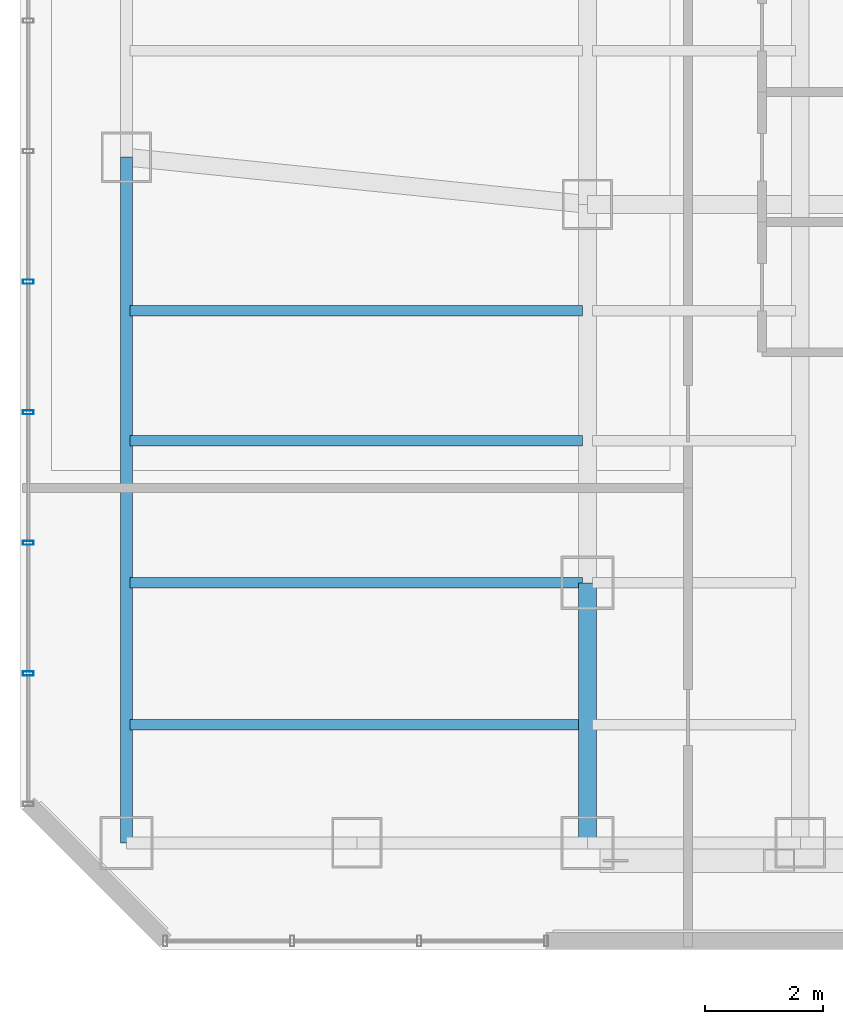
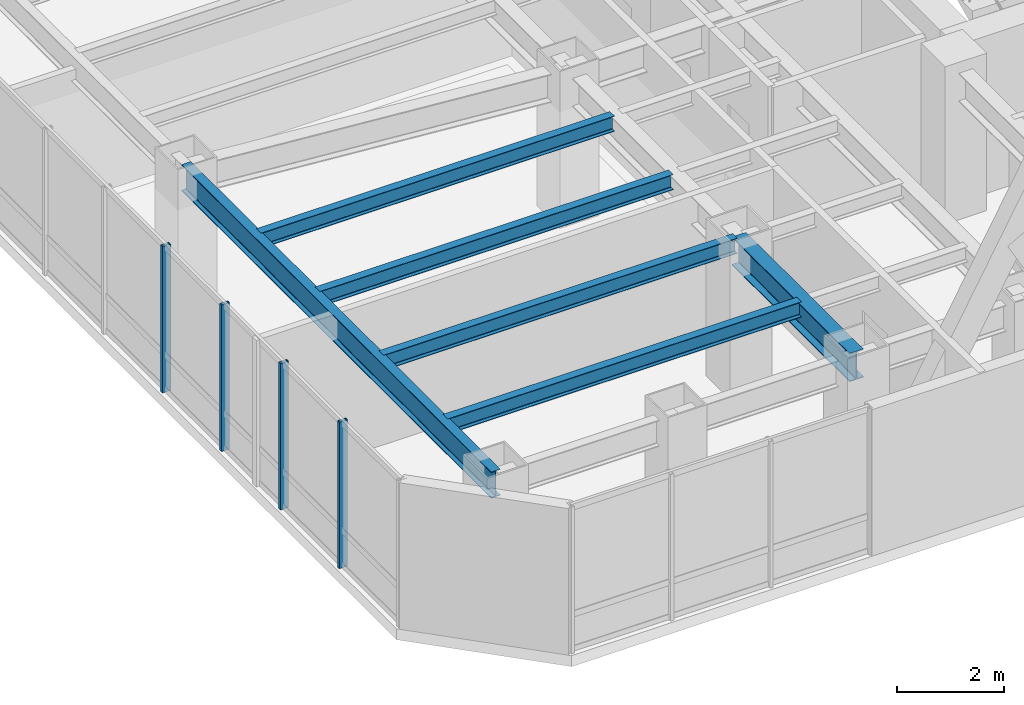
# One storey, part 4 of 29: 6 beams, 4 members, 1 element without a shape of its own.
"""IFC4 building model written with IfcOpenShell, lengths in metres."""

from ifc_helpers import new_model, si_unit, direction, frame, origin, origin_2d, place, context, subcontext, project, spatial, hollow_rectangle, i_section, extrude, material, layer, layer_set, material_profile, profile_set, type_object, element, aggregate, save


model = new_model("IFC4")

# Units and contexts
model_context = context("Model", 3, precision=1e-05, world=origin(), true_north=direction((0.0, 1.0)))
body_context = subcontext(model_context, "Body", "Model", "MODEL_VIEW")
ifc_project = project(units=[si_unit("LENGTHUNIT", "METRE"), si_unit("AREAUNIT", "SQUARE_METRE"), si_unit("VOLUMEUNIT", "CUBIC_METRE"), si_unit("PLANEANGLEUNIT", "RADIAN"), si_unit("MASSUNIT", "GRAM", prefix="KILO")], contexts=[model_context])

# Site, building, storey
site_placement = place(None, origin())
site = spatial("IfcSite", under=ifc_project, at=site_placement, CompositionType="ELEMENT")
building_placement = place(site_placement, origin())
building = spatial("IfcBuilding", under=site, at=building_placement, Name="Hatsunagi Terrace Concourse", CompositionType="ELEMENT")
storey_placement = place(building_placement, frame((0.0, 0.0, 119.25)))
storey = spatial("IfcBuildingStorey", under=building, at=storey_placement, Name="L31", CompositionType="ELEMENT", Elevation=119.25)

# Curtain wall, members
ifc_material_1 = material(Name="Anodised Aluminium Alloy 6063-T5", Category="aluminium")
ifc_layer = layer(ifc_material_1, 0.199951171875)
ifc_layer_set = layer_set([ifc_layer], Name="OfficeZone1_CW03")
curtain_wall_type = type_object("IfcCurtainWallType", Name="OfficeZone1_CW03", PredefinedType="NOTDEFINED", material=ifc_layer_set)
curtain_wall_placement = place(storey_placement, origin())
curtain_wall = element("IfcCurtainWall", 1, at=curtain_wall_placement, inside=storey, type_object=curtain_wall_type, Name="Unitised Curtain Wall CW-03 CW-L31-09", PredefinedType="NOTDEFINED")
ifc_material_2 = material(Name="Anodised Aluminium Alloy 6063-T5", Category="aluminium")
ifc_material_profile_1 = material_profile(ifc_material_2, hollow_rectangle(XDim=0.070068359375, YDim=0.179931640625, WallThickness=0.00390625, at=origin_2d()), Name="ALU-MUL-180x70x4")
ifc_profile_set_1 = profile_set([ifc_material_profile_1], Name="Anodised Aluminium Alloy 6063-T5")
member_type = type_object("IfcMemberType", Name="CurtainWallMullion_180x70", PredefinedType="MULLION", material=ifc_profile_set_1)
member_1_placement = place(storey_placement, frame((9.739990234375, 28.06591796875, 0.0), z_axis=(0.0, 0.0, 1.0), x_axis=(0.0, 1.0, 0.0)))
member_1 = element("IfcMember", 2, at=member_1_placement, type_object=member_type, Name="Curtain Wall Mullion MUL-02", PredefinedType="MULLION", context=body_context, shape_type="SweptSolid", body=[
    extrude(hollow_rectangle(XDim=0.070068359375, YDim=0.179931640625, WallThickness=0.00390625, at=origin_2d()), origin(), (0.0, 0.0, 1.0), 3.35009765625),
])
member_2_placement = place(storey_placement, frame((9.739990234375, 30.27490234375, 0.0), z_axis=(0.0, 0.0, 1.0), x_axis=(0.0, 1.0, 0.0)))
member_2 = element("IfcMember", 3, at=member_2_placement, type_object=member_type, Name="Curtain Wall Mullion MUL-02", PredefinedType="MULLION", context=body_context, shape_type="SweptSolid", body=[
    extrude(hollow_rectangle(XDim=0.070068359375, YDim=0.179931640625, WallThickness=0.00390625, at=origin_2d()), origin(), (0.0, 0.0, 1.0), 3.35009765625),
])
member_3_placement = place(storey_placement, frame((9.739990234375, 32.48291015625, 0.0), z_axis=(0.0, 0.0, 1.0), x_axis=(0.0, 1.0, 0.0)))
member_3 = element("IfcMember", 4, at=member_3_placement, type_object=member_type, Name="Curtain Wall Mullion MUL-02", PredefinedType="MULLION", context=body_context, shape_type="SweptSolid", body=[
    extrude(hollow_rectangle(XDim=0.070068359375, YDim=0.179931640625, WallThickness=0.00390625, at=origin_2d()), origin(), (0.0, 0.0, 1.0), 3.35009765625),
])
member_4_placement = place(storey_placement, frame((9.739990234375, 34.69189453125, 0.0), z_axis=(0.0, 0.0, 1.0), x_axis=(0.0, 1.0, 0.0)))
member_4 = element("IfcMember", 5, at=member_4_placement, type_object=member_type, Name="Curtain Wall Mullion MUL-02", PredefinedType="MULLION", context=body_context, shape_type="SweptSolid", body=[
    extrude(hollow_rectangle(XDim=0.070068359375, YDim=0.179931640625, WallThickness=0.00390625, at=origin_2d()), origin(), (0.0, 0.0, 1.0), 3.35009765625),
])
aggregate(curtain_wall, [member_1, member_2, member_3, member_4])

# Beams
ifc_material_3 = material(Name="Steel SN490B", Category="steel")
ifc_material_profile_2 = material_profile(ifc_material_3, i_section(OverallWidth=0.175048828125, OverallDepth=0.35009765625, WebThickness=0.007080078125, FlangeThickness=0.010986328125, FilletRadius=0.012939453125, at=origin_2d()), Name="H-350x175x7x11")
ifc_profile_set_2 = profile_set([ifc_material_profile_2], Name="Steel SN490B")
beam_type_1 = type_object("IfcBeamType", Name="HotelJoist_H_350x175", PredefinedType="JOIST", material=ifc_profile_set_2)
for number, where, z_axis, x_axis, name in (
    (6, (11.465087890625, 27.199951171875, 3.175048828125), (1.0, 0.0, 0.0), (0.0, 1.0, 0.0), "Beam J-02 J-L31-W-11-272"),
    (7, (11.465087890625, 29.60009765625, 3.175048828125), (1.0, 0.0, 0.0), (0.0, 1.0, 0.0), "Beam J-02 J-L31-W-11-296"),
    (8, (11.465087890625, 32.0, 3.175048828125), (1.0, 0.0, 0.0), (0.0, 1.0, 0.0), "Beam J-02 J-L31-W-11-320"),
    (9, (11.465087890625, 34.199951171875, 3.175048828125), (1.0, 0.0, 0.0), (0.0, 1.0, 0.0), "Beam J-02 J-L31-W-11-342"),
):
    element("IfcBeam", number, at=place(storey_placement, frame(where, z_axis=z_axis, x_axis=x_axis)), inside=storey, type_object=beam_type_1, Name=name, PredefinedType="JOIST", context=body_context, shape_type="SweptSolid", body=[
        extrude(i_section(OverallWidth=0.175048828125, OverallDepth=0.35009765625, WebThickness=0.007080078125, FlangeThickness=0.010986328125, FilletRadius=0.012939453125, at=origin_2d()), origin(), (0.0, 0.0, 1.0), 7.64990234375),
    ])
ifc_material_4 = material(Name="Steel SN490B", Category="steel")
ifc_material_profile_3 = material_profile(ifc_material_4, i_section(OverallWidth=0.300048828125, OverallDepth=0.64990234375, WebThickness=0.012939453125, FlangeThickness=0.02197265625, FilletRadius=0.01806640625, at=origin_2d()), Name="H-650x300x13x22")
ifc_profile_set_3 = profile_set([ifc_material_profile_3], Name="Steel SN490B")
beam_type_2 = type_object("IfcBeamType", Name="OfficeLowGirder_H_650x300", PredefinedType="BEAM", material=ifc_profile_set_3)
beam_1_placement = place(storey_placement, frame((19.199951171875, 25.199951171875, 3.02490234375), z_axis=(0.0, 1.0, 0.0), x_axis=(-1.0, 0.0, 0.0)))
element("IfcBeam", 10, at=beam_1_placement, inside=storey, type_object=beam_type_2, Name="Beam G-05 BM-L31-NS-19-25", PredefinedType="BEAM", context=body_context, shape_type="SweptSolid", body=[
    extrude(i_section(OverallWidth=0.300048828125, OverallDepth=0.64990234375, WebThickness=0.012939453125, FlangeThickness=0.02197265625, FilletRadius=0.01806640625, at=origin_2d()), origin(), (0.0, 0.0, 1.0), 4.400146484375),
])
ifc_material_5 = material(Name="Steel SN490B", Category="steel")
ifc_material_profile_4 = material_profile(ifc_material_5, i_section(OverallWidth=0.199951171875, OverallDepth=0.60009765625, WebThickness=0.010986328125, FlangeThickness=0.01708984375, FilletRadius=0.01806640625, at=origin_2d()), Name="H-600x200x11x17")
ifc_profile_set_4 = profile_set([ifc_material_profile_4], Name="Steel SN490B")
beam_type_3 = type_object("IfcBeamType", Name="PerimeterSpandrel_H_600x200", PredefinedType="SPANDREL", material=ifc_profile_set_4)
beam_2_placement = place(storey_placement, frame((11.39990234375, 25.199951171875, 3.050048828125), z_axis=(0.0, 1.0, 0.0), x_axis=(-1.0, 0.0, 0.0)))
element("IfcBeam", 11, at=beam_2_placement, inside=storey, type_object=beam_type_3, Name="Beam SP-01 BM-L31-NS-11-25", PredefinedType="SPANDREL", context=body_context, shape_type="SweptSolid", body=[
    extrude(i_section(OverallWidth=0.199951171875, OverallDepth=0.60009765625, WebThickness=0.010986328125, FlangeThickness=0.01708984375, FilletRadius=0.01806640625, at=origin_2d()), origin(), (0.0, 0.0, 1.0), 11.60009765625),
])

save(model, "model.ifc")
